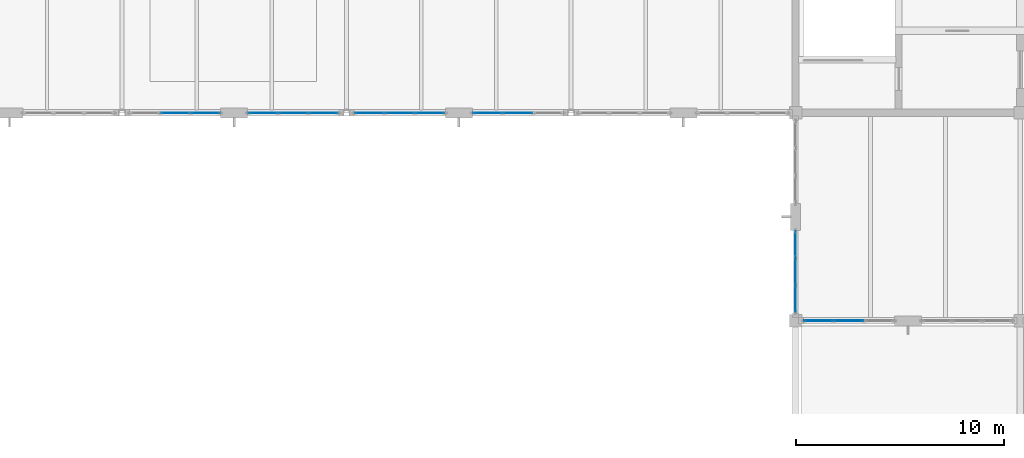
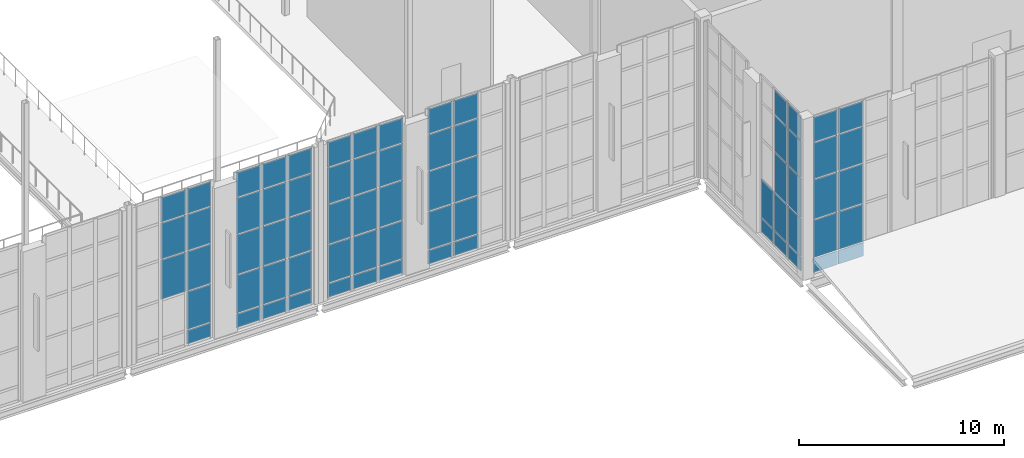
# One storey, part 66 of 100: 70 plates, 6 elements without a shape of their own.
"""IFC4 building model written with IfcOpenShell, lengths in metres."""

from ifc_helpers import new_model, si_unit, direction, frame, origin, origin_2d, place, context, subcontext, project, spatial, rectangle, extrude, material, layer, layer_set, type_object, element, aggregate, save


model = new_model("IFC4")

# Units and contexts
model_context = context("Model", 3, precision=1e-05, world=origin(), true_north=direction((0.0, 1.0)))
body_context = subcontext(model_context, "Body", "Model", "MODEL_VIEW")
ifc_project = project(units=[si_unit("LENGTHUNIT", "METRE"), si_unit("AREAUNIT", "SQUARE_METRE"), si_unit("VOLUMEUNIT", "CUBIC_METRE"), si_unit("PLANEANGLEUNIT", "RADIAN"), si_unit("MASSUNIT", "GRAM", prefix="KILO")], contexts=[model_context])

# Site, building, storey
site_placement = place(None, origin())
site = spatial("IfcSite", under=ifc_project, at=site_placement, CompositionType="ELEMENT")
building_placement = place(site_placement, origin())
building = spatial("IfcBuilding", under=site, at=building_placement, Name="Tasgan Crest Museum", CompositionType="ELEMENT")
storey_placement = place(building_placement, frame((0.0, 0.0, 14.39990234375)))
storey = spatial("IfcBuildingStorey", under=building, at=storey_placement, Name="L03", CompositionType="ELEMENT", Elevation=14.39990234375)

# Curtain wall, plates
ifc_material_1 = material(Name="Triple-Glazed Aluminium Curtain Wall", Category="aluminium")
ifc_layer_1 = layer(ifc_material_1, 0.179931640625, Name="CW-GAL-Y-96")
ifc_layer_set_1 = layer_set([ifc_layer_1], Name="Triple-Glazed Aluminium Curtain Wall")
curtain_wall_type_1 = type_object("IfcCurtainWallType", Name="CW-GAL-Y-96", PredefinedType="NOTDEFINED", material=ifc_layer_set_1)
curtain_wall_1_placement = place(storey_placement, origin())
curtain_wall_1 = element("IfcCurtainWall", 1, at=curtain_wall_1_placement, inside=storey, type_object=curtain_wall_type_1, Name="Curtain wall L03 112", PredefinedType="NOTDEFINED")
ifc_material_2 = material(Name="Insulated Spandrel Glass", Category="glass")
ifc_layer_2 = layer(ifc_material_2, 0.052001953125, Name="CW-PANEL-SPANDREL")
ifc_layer_set_2 = layer_set([ifc_layer_2], Name="Insulated Spandrel Glass")
plate_type_1 = type_object("IfcPlateType", Name="CW-PANEL-SPANDREL", PredefinedType="CURTAIN_PANEL", material=ifc_layer_set_2)
plate_1_placement = place(storey_placement, frame((108.0, 33.675048828125, 0.06005859375), z_axis=(0.0, 0.0, 1.0), x_axis=(0.0, -1.0, 0.0)))
plate_1 = element("IfcPlate", 2, at=plate_1_placement, type_object=plate_type_1, Name="CW17 panel 1.1", PredefinedType="CURTAIN_PANEL", context=body_context, shape_type="SweptSolid", body=[
    extrude(rectangle(XDim=1.239990234375, YDim=0.028076171875, at=origin_2d()), origin(), (0.0, 0.0, 1.0), 0.81005859375),
])
plate_2_placement = place(storey_placement, frame((108.0, 32.360107421875, 0.06005859375), z_axis=(0.0, 0.0, 1.0), x_axis=(0.0, -1.0, 0.0)))
plate_2 = element("IfcPlate", 3, at=plate_2_placement, type_object=plate_type_1, Name="CW17 panel 2.1", PredefinedType="CURTAIN_PANEL", context=body_context, shape_type="SweptSolid", body=[
    extrude(rectangle(XDim=1.27001953125, YDim=0.028076171875, at=origin_2d()), origin(), (0.0, 0.0, 1.0), 0.81005859375),
])
plate_3_placement = place(storey_placement, frame((108.0, 31.044921875, 0.06005859375), z_axis=(0.0, 0.0, 1.0), x_axis=(0.0, -1.0, 0.0)))
plate_3 = element("IfcPlate", 4, at=plate_3_placement, type_object=plate_type_1, Name="CW17 panel 3.1", PredefinedType="CURTAIN_PANEL", context=body_context, shape_type="SweptSolid", body=[
    extrude(rectangle(XDim=1.239990234375, YDim=0.028076171875, at=origin_2d()), origin(), (0.0, 0.0, 1.0), 0.81005859375),
])

ifc_material_3 = material(Name="Triple-Glazed Aluminium Curtain Wall", Category="aluminium")
ifc_layer_3 = layer(ifc_material_3, 0.179931640625, Name="CW-GAL-X-96")
ifc_layer_set_3 = layer_set([ifc_layer_3], Name="Triple-Glazed Aluminium Curtain Wall")
curtain_wall_type_2 = type_object("IfcCurtainWallType", Name="CW-GAL-X-96", PredefinedType="NOTDEFINED", material=ifc_layer_set_3)
curtain_wall_2_placement = place(storey_placement, origin())
curtain_wall_2 = element("IfcCurtainWall", 5, at=curtain_wall_2_placement, inside=storey, type_object=curtain_wall_type_2, Name="Curtain wall L03 113", PredefinedType="NOTDEFINED")
plate_4_placement = place(storey_placement, frame((109.111572265625, 30.0, 0.06005859375), z_axis=(0.0, 0.0, 1.0), x_axis=(1.0, 0.0, 0.0)))
plate_4 = element("IfcPlate", 6, at=plate_4_placement, type_object=plate_type_1, Name="CW14 panel 1.1", PredefinedType="CURTAIN_PANEL", context=body_context, shape_type="SweptSolid", body=[
    extrude(rectangle(XDim=1.373291015625, YDim=0.028076171875, at=origin_2d()), origin(), (0.0, 0.0, 1.0), 0.81005859375),
])
plate_5_placement = place(storey_placement, frame((110.56005859375, 30.0, 0.06005859375), z_axis=(0.0, 0.0, 1.0), x_axis=(1.0, 0.0, 0.0)))
plate_5 = element("IfcPlate", 7, at=plate_5_placement, type_object=plate_type_1, Name="CW14 panel 2.1", PredefinedType="CURTAIN_PANEL", context=body_context, shape_type="SweptSolid", body=[
    extrude(rectangle(XDim=1.4033203125, YDim=0.028076171875, at=origin_2d()), origin(), (0.0, 0.0, 1.0), 0.81005859375),
])

# Curtain wall, plate
ifc_material_4 = material(Name="Triple-Glazed Aluminium Curtain Wall", Category="aluminium")
ifc_layer_4 = layer(ifc_material_4, 0.179931640625, Name="CW-DRUM-X-96")
ifc_layer_set_4 = layer_set([ifc_layer_4], Name="Triple-Glazed Aluminium Curtain Wall")
curtain_wall_type_3 = type_object("IfcCurtainWallType", Name="CW-DRUM-X-96", PredefinedType="NOTDEFINED", material=ifc_layer_set_4)
curtain_wall_3_placement = place(storey_placement, origin())
curtain_wall_3 = element("IfcCurtainWall", 8, at=curtain_wall_3_placement, inside=storey, type_object=curtain_wall_type_3, Name="Curtain wall L03 149", PredefinedType="NOTDEFINED")
plate_6_placement = place(storey_placement, frame((79.6083984375, 40.0, 0.06005859375), z_axis=(0.0, 0.0, 1.0), x_axis=(1.0, 0.0, 0.0)))
plate_6 = element("IfcPlate", 9, at=plate_6_placement, type_object=plate_type_1, Name="CW06 panel 3.1", PredefinedType="CURTAIN_PANEL", context=body_context, shape_type="SweptSolid", body=[
    extrude(rectangle(XDim=1.373291015625, YDim=0.028076171875, at=origin_2d()), origin(), (0.0, 0.0, 1.0), 0.81005859375),
])

# Curtain wall, plates
curtain_wall_4_placement = place(storey_placement, origin())
curtain_wall_4 = element("IfcCurtainWall", 10, at=curtain_wall_4_placement, inside=storey, type_object=curtain_wall_type_3, Name="Curtain wall L03 150", PredefinedType="NOTDEFINED")
plate_7_placement = place(storey_placement, frame((82.3916015625, 40.0, 0.06005859375), z_axis=(0.0, 0.0, 1.0), x_axis=(1.0, 0.0, 0.0)))
plate_7 = element("IfcPlate", 11, at=plate_7_placement, type_object=plate_type_1, Name="CW06 panel 1.1", PredefinedType="CURTAIN_PANEL", context=body_context, shape_type="SweptSolid", body=[
    extrude(rectangle(XDim=1.373291015625, YDim=0.028076171875, at=origin_2d()), origin(), (0.0, 0.0, 1.0), 0.81005859375),
])
plate_8_placement = place(storey_placement, frame((83.840087890625, 40.0, 0.06005859375), z_axis=(0.0, 0.0, 1.0), x_axis=(1.0, 0.0, 0.0)))
plate_8 = element("IfcPlate", 12, at=plate_8_placement, type_object=plate_type_1, Name="CW06 panel 2.1", PredefinedType="CURTAIN_PANEL", context=body_context, shape_type="SweptSolid", body=[
    extrude(rectangle(XDim=1.4033203125, YDim=0.028076171875, at=origin_2d()), origin(), (0.0, 0.0, 1.0), 0.81005859375),
])
plate_9_placement = place(storey_placement, frame((85.288330078125, 40.0, 0.06005859375), z_axis=(0.0, 0.0, 1.0), x_axis=(1.0, 0.0, 0.0)))
plate_9 = element("IfcPlate", 13, at=plate_9_placement, type_object=plate_type_1, Name="CW06 panel 3.1", PredefinedType="CURTAIN_PANEL", context=body_context, shape_type="SweptSolid", body=[
    extrude(rectangle(XDim=1.373291015625, YDim=0.028076171875, at=origin_2d()), origin(), (0.0, 0.0, 1.0), 0.81005859375),
])

curtain_wall_5_placement = place(storey_placement, origin())
curtain_wall_5 = element("IfcCurtainWall", 14, at=curtain_wall_5_placement, inside=storey, type_object=curtain_wall_type_3, Name="Curtain wall L03 151", PredefinedType="NOTDEFINED")
plate_10_placement = place(storey_placement, frame((87.51171875, 40.0, 0.06005859375), z_axis=(0.0, 0.0, 1.0), x_axis=(1.0, 0.0, 0.0)))
plate_10 = element("IfcPlate", 15, at=plate_10_placement, type_object=plate_type_1, Name="CW06 panel 1.1", PredefinedType="CURTAIN_PANEL", context=body_context, shape_type="SweptSolid", body=[
    extrude(rectangle(XDim=1.373291015625, YDim=0.028076171875, at=origin_2d()), origin(), (0.0, 0.0, 1.0), 0.81005859375),
])
plate_11_placement = place(storey_placement, frame((88.9599609375, 40.0, 0.06005859375), z_axis=(0.0, 0.0, 1.0), x_axis=(1.0, 0.0, 0.0)))
plate_11 = element("IfcPlate", 16, at=plate_11_placement, type_object=plate_type_1, Name="CW06 panel 2.1", PredefinedType="CURTAIN_PANEL", context=body_context, shape_type="SweptSolid", body=[
    extrude(rectangle(XDim=1.4033203125, YDim=0.028076171875, at=origin_2d()), origin(), (0.0, 0.0, 1.0), 0.81005859375),
])
plate_12_placement = place(storey_placement, frame((90.408447265625, 40.0, 0.06005859375), z_axis=(0.0, 0.0, 1.0), x_axis=(1.0, 0.0, 0.0)))
plate_12 = element("IfcPlate", 17, at=plate_12_placement, type_object=plate_type_1, Name="CW06 panel 3.1", PredefinedType="CURTAIN_PANEL", context=body_context, shape_type="SweptSolid", body=[
    extrude(rectangle(XDim=1.373291015625, YDim=0.028076171875, at=origin_2d()), origin(), (0.0, 0.0, 1.0), 0.81005859375),
])

curtain_wall_6_placement = place(storey_placement, origin())
curtain_wall_6 = element("IfcCurtainWall", 18, at=curtain_wall_6_placement, inside=storey, type_object=curtain_wall_type_3, Name="Curtain wall L03 152", PredefinedType="NOTDEFINED")
plate_13_placement = place(storey_placement, frame((93.191650390625, 40.0, 0.06005859375), z_axis=(0.0, 0.0, 1.0), x_axis=(1.0, 0.0, 0.0)))
plate_13 = element("IfcPlate", 19, at=plate_13_placement, type_object=plate_type_1, Name="CW06 panel 1.1", PredefinedType="CURTAIN_PANEL", context=body_context, shape_type="SweptSolid", body=[
    extrude(rectangle(XDim=1.373291015625, YDim=0.028076171875, at=origin_2d()), origin(), (0.0, 0.0, 1.0), 0.81005859375),
])
plate_14_placement = place(storey_placement, frame((94.639892578125, 40.0, 0.06005859375), z_axis=(0.0, 0.0, 1.0), x_axis=(1.0, 0.0, 0.0)))
plate_14 = element("IfcPlate", 20, at=plate_14_placement, type_object=plate_type_1, Name="CW06 panel 2.1", PredefinedType="CURTAIN_PANEL", context=body_context, shape_type="SweptSolid", body=[
    extrude(rectangle(XDim=1.4033203125, YDim=0.028076171875, at=origin_2d()), origin(), (0.0, 0.0, 1.0), 0.81005859375),
])

# Plate
ifc_material_5 = material(Name="Low-E Triple Glazing", Category="glass")
ifc_layer_5 = layer(ifc_material_5, 0.0439453125, Name="CW-PANEL-TRIPLE")
ifc_layer_set_5 = layer_set([ifc_layer_5], Name="Low-E Triple Glazing")
plate_type_2 = type_object("IfcPlateType", Name="CW-PANEL-TRIPLE", PredefinedType="CURTAIN_PANEL", material=ifc_layer_set_5)
plate_15_placement = place(storey_placement, frame((108.0, 33.675048828125, 0.93017578125), z_axis=(0.0, 0.0, 1.0), x_axis=(0.0, -1.0, 0.0)))
plate_15 = element("IfcPlate", 21, at=plate_15_placement, type_object=plate_type_2, Name="CW17 panel 1.2", PredefinedType="CURTAIN_PANEL", context=body_context, shape_type="SweptSolid", body=[
    extrude(rectangle(XDim=1.239990234375, YDim=0.028076171875, at=origin_2d()), origin(), (0.0, 0.0, 1.0), 2.239990234375),
])

plate_16_placement = place(storey_placement, frame((108.0, 32.360107421875, 0.93017578125), z_axis=(0.0, 0.0, 1.0), x_axis=(0.0, -1.0, 0.0)))
plate_16 = element("IfcPlate", 22, at=plate_16_placement, type_object=plate_type_2, Name="CW17 panel 2.2", PredefinedType="CURTAIN_PANEL", context=body_context, shape_type="SweptSolid", body=[
    extrude(rectangle(XDim=1.27001953125, YDim=0.028076171875, at=origin_2d()), origin(), (0.0, 0.0, 1.0), 2.239990234375),
])

plate_17_placement = place(storey_placement, frame((108.0, 32.360107421875, 3.22998046875), z_axis=(0.0, 0.0, 1.0), x_axis=(0.0, -1.0, 0.0)))
plate_17 = element("IfcPlate", 23, at=plate_17_placement, type_object=plate_type_2, Name="CW17 panel 2.3", PredefinedType="CURTAIN_PANEL", context=body_context, shape_type="SweptSolid", body=[
    extrude(rectangle(XDim=1.27001953125, YDim=0.028076171875, at=origin_2d()), origin(), (0.0, 0.0, 1.0), 2.340087890625),
])

plate_18_placement = place(storey_placement, frame((108.0, 32.360107421875, 5.63037109375), z_axis=(0.0, 0.0, 1.0), x_axis=(0.0, -1.0, 0.0)))
plate_18 = element("IfcPlate", 24, at=plate_18_placement, type_object=plate_type_2, Name="CW17 panel 2.4", PredefinedType="CURTAIN_PANEL", context=body_context, shape_type="SweptSolid", body=[
    extrude(rectangle(XDim=1.27001953125, YDim=0.028076171875, at=origin_2d()), origin(), (0.0, 0.0, 1.0), 2.139892578125),
])

plate_19_placement = place(storey_placement, frame((108.0, 32.360107421875, 7.830078125), z_axis=(0.0, 0.0, 1.0), x_axis=(0.0, -1.0, 0.0)))
plate_19 = element("IfcPlate", 25, at=plate_19_placement, type_object=plate_type_2, Name="CW17 panel 2.5", PredefinedType="CURTAIN_PANEL", context=body_context, shape_type="SweptSolid", body=[
    extrude(rectangle(XDim=1.27001953125, YDim=0.028076171875, at=origin_2d()), origin(), (0.0, 0.0, 1.0), 1.469970703125),
])

plate_20_placement = place(storey_placement, frame((108.0, 31.044921875, 0.93017578125), z_axis=(0.0, 0.0, 1.0), x_axis=(0.0, -1.0, 0.0)))
plate_20 = element("IfcPlate", 26, at=plate_20_placement, type_object=plate_type_2, Name="CW17 panel 3.2", PredefinedType="CURTAIN_PANEL", context=body_context, shape_type="SweptSolid", body=[
    extrude(rectangle(XDim=1.239990234375, YDim=0.028076171875, at=origin_2d()), origin(), (0.0, 0.0, 1.0), 2.239990234375),
])

plate_21_placement = place(storey_placement, frame((108.0, 31.044921875, 3.22998046875), z_axis=(0.0, 0.0, 1.0), x_axis=(0.0, -1.0, 0.0)))
plate_21 = element("IfcPlate", 27, at=plate_21_placement, type_object=plate_type_2, Name="CW17 panel 3.3", PredefinedType="CURTAIN_PANEL", context=body_context, shape_type="SweptSolid", body=[
    extrude(rectangle(XDim=1.239990234375, YDim=0.028076171875, at=origin_2d()), origin(), (0.0, 0.0, 1.0), 2.340087890625),
])

plate_22_placement = place(storey_placement, frame((108.0, 31.044921875, 5.63037109375), z_axis=(0.0, 0.0, 1.0), x_axis=(0.0, -1.0, 0.0)))
plate_22 = element("IfcPlate", 28, at=plate_22_placement, type_object=plate_type_2, Name="CW17 panel 3.4", PredefinedType="CURTAIN_PANEL", context=body_context, shape_type="SweptSolid", body=[
    extrude(rectangle(XDim=1.239990234375, YDim=0.028076171875, at=origin_2d()), origin(), (0.0, 0.0, 1.0), 2.139892578125),
])

plate_23_placement = place(storey_placement, frame((108.0, 31.044921875, 7.830078125), z_axis=(0.0, 0.0, 1.0), x_axis=(0.0, -1.0, 0.0)))
plate_23 = element("IfcPlate", 29, at=plate_23_placement, type_object=plate_type_2, Name="CW17 panel 3.5", PredefinedType="CURTAIN_PANEL", context=body_context, shape_type="SweptSolid", body=[
    extrude(rectangle(XDim=1.239990234375, YDim=0.028076171875, at=origin_2d()), origin(), (0.0, 0.0, 1.0), 1.469970703125),
])

aggregate(curtain_wall_1, [plate_1, plate_15, plate_2, plate_16, plate_17, plate_18, plate_19, plate_3, plate_20, plate_21, plate_22, plate_23])

plate_24_placement = place(storey_placement, frame((109.111572265625, 30.0, 0.93017578125), z_axis=(0.0, 0.0, 1.0), x_axis=(1.0, 0.0, 0.0)))
plate_24 = element("IfcPlate", 30, at=plate_24_placement, type_object=plate_type_2, Name="CW14 panel 1.2", PredefinedType="CURTAIN_PANEL", context=body_context, shape_type="SweptSolid", body=[
    extrude(rectangle(XDim=1.373291015625, YDim=0.028076171875, at=origin_2d()), origin(), (0.0, 0.0, 1.0), 2.239990234375),
])

plate_25_placement = place(storey_placement, frame((109.111572265625, 30.0, 3.22998046875), z_axis=(0.0, 0.0, 1.0), x_axis=(1.0, 0.0, 0.0)))
plate_25 = element("IfcPlate", 31, at=plate_25_placement, type_object=plate_type_2, Name="CW14 panel 1.3", PredefinedType="CURTAIN_PANEL", context=body_context, shape_type="SweptSolid", body=[
    extrude(rectangle(XDim=1.373291015625, YDim=0.028076171875, at=origin_2d()), origin(), (0.0, 0.0, 1.0), 2.340087890625),
])

plate_26_placement = place(storey_placement, frame((109.111572265625, 30.0, 5.63037109375), z_axis=(0.0, 0.0, 1.0), x_axis=(1.0, 0.0, 0.0)))
plate_26 = element("IfcPlate", 32, at=plate_26_placement, type_object=plate_type_2, Name="CW14 panel 1.4", PredefinedType="CURTAIN_PANEL", context=body_context, shape_type="SweptSolid", body=[
    extrude(rectangle(XDim=1.373291015625, YDim=0.028076171875, at=origin_2d()), origin(), (0.0, 0.0, 1.0), 2.139892578125),
])

plate_27_placement = place(storey_placement, frame((109.111572265625, 30.0, 7.830078125), z_axis=(0.0, 0.0, 1.0), x_axis=(1.0, 0.0, 0.0)))
plate_27 = element("IfcPlate", 33, at=plate_27_placement, type_object=plate_type_2, Name="CW14 panel 1.5", PredefinedType="CURTAIN_PANEL", context=body_context, shape_type="SweptSolid", body=[
    extrude(rectangle(XDim=1.373291015625, YDim=0.028076171875, at=origin_2d()), origin(), (0.0, 0.0, 1.0), 1.469970703125),
])

plate_28_placement = place(storey_placement, frame((110.56005859375, 30.0, 0.93017578125), z_axis=(0.0, 0.0, 1.0), x_axis=(1.0, 0.0, 0.0)))
plate_28 = element("IfcPlate", 34, at=plate_28_placement, type_object=plate_type_2, Name="CW14 panel 2.2", PredefinedType="CURTAIN_PANEL", context=body_context, shape_type="SweptSolid", body=[
    extrude(rectangle(XDim=1.4033203125, YDim=0.028076171875, at=origin_2d()), origin(), (0.0, 0.0, 1.0), 2.239990234375),
])

plate_29_placement = place(storey_placement, frame((110.56005859375, 30.0, 3.22998046875), z_axis=(0.0, 0.0, 1.0), x_axis=(1.0, 0.0, 0.0)))
plate_29 = element("IfcPlate", 35, at=plate_29_placement, type_object=plate_type_2, Name="CW14 panel 2.3", PredefinedType="CURTAIN_PANEL", context=body_context, shape_type="SweptSolid", body=[
    extrude(rectangle(XDim=1.4033203125, YDim=0.028076171875, at=origin_2d()), origin(), (0.0, 0.0, 1.0), 2.340087890625),
])

plate_30_placement = place(storey_placement, frame((110.56005859375, 30.0, 5.63037109375), z_axis=(0.0, 0.0, 1.0), x_axis=(1.0, 0.0, 0.0)))
plate_30 = element("IfcPlate", 36, at=plate_30_placement, type_object=plate_type_2, Name="CW14 panel 2.4", PredefinedType="CURTAIN_PANEL", context=body_context, shape_type="SweptSolid", body=[
    extrude(rectangle(XDim=1.4033203125, YDim=0.028076171875, at=origin_2d()), origin(), (0.0, 0.0, 1.0), 2.139892578125),
])

plate_31_placement = place(storey_placement, frame((110.56005859375, 30.0, 7.830078125), z_axis=(0.0, 0.0, 1.0), x_axis=(1.0, 0.0, 0.0)))
plate_31 = element("IfcPlate", 37, at=plate_31_placement, type_object=plate_type_2, Name="CW14 panel 2.5", PredefinedType="CURTAIN_PANEL", context=body_context, shape_type="SweptSolid", body=[
    extrude(rectangle(XDim=1.4033203125, YDim=0.028076171875, at=origin_2d()), origin(), (0.0, 0.0, 1.0), 1.469970703125),
])

aggregate(curtain_wall_2, [plate_4, plate_24, plate_25, plate_26, plate_27, plate_5, plate_28, plate_29, plate_30, plate_31])

plate_32_placement = place(storey_placement, frame((78.159912109375, 40.0, 3.22998046875), z_axis=(0.0, 0.0, 1.0), x_axis=(1.0, 0.0, 0.0)))
plate_32 = element("IfcPlate", 38, at=plate_32_placement, type_object=plate_type_2, Name="CW06 panel 2.3", PredefinedType="CURTAIN_PANEL", context=body_context, shape_type="SweptSolid", body=[
    extrude(rectangle(XDim=1.4033203125, YDim=0.028076171875, at=origin_2d()), origin(), (0.0, 0.0, 1.0), 2.340087890625),
])

plate_33_placement = place(storey_placement, frame((78.159912109375, 40.0, 5.63037109375), z_axis=(0.0, 0.0, 1.0), x_axis=(1.0, 0.0, 0.0)))
plate_33 = element("IfcPlate", 39, at=plate_33_placement, type_object=plate_type_2, Name="CW06 panel 2.4", PredefinedType="CURTAIN_PANEL", context=body_context, shape_type="SweptSolid", body=[
    extrude(rectangle(XDim=1.4033203125, YDim=0.028076171875, at=origin_2d()), origin(), (0.0, 0.0, 1.0), 2.139892578125),
])

plate_34_placement = place(storey_placement, frame((78.159912109375, 40.0, 7.830078125), z_axis=(0.0, 0.0, 1.0), x_axis=(1.0, 0.0, 0.0)))
plate_34 = element("IfcPlate", 40, at=plate_34_placement, type_object=plate_type_2, Name="CW06 panel 2.5", PredefinedType="CURTAIN_PANEL", context=body_context, shape_type="SweptSolid", body=[
    extrude(rectangle(XDim=1.4033203125, YDim=0.028076171875, at=origin_2d()), origin(), (0.0, 0.0, 1.0), 1.469970703125),
])

plate_35_placement = place(storey_placement, frame((79.6083984375, 40.0, 0.93017578125), z_axis=(0.0, 0.0, 1.0), x_axis=(1.0, 0.0, 0.0)))
plate_35 = element("IfcPlate", 41, at=plate_35_placement, type_object=plate_type_2, Name="CW06 panel 3.2", PredefinedType="CURTAIN_PANEL", context=body_context, shape_type="SweptSolid", body=[
    extrude(rectangle(XDim=1.373291015625, YDim=0.028076171875, at=origin_2d()), origin(), (0.0, 0.0, 1.0), 2.239990234375),
])

plate_36_placement = place(storey_placement, frame((79.6083984375, 40.0, 3.22998046875), z_axis=(0.0, 0.0, 1.0), x_axis=(1.0, 0.0, 0.0)))
plate_36 = element("IfcPlate", 42, at=plate_36_placement, type_object=plate_type_2, Name="CW06 panel 3.3", PredefinedType="CURTAIN_PANEL", context=body_context, shape_type="SweptSolid", body=[
    extrude(rectangle(XDim=1.373291015625, YDim=0.028076171875, at=origin_2d()), origin(), (0.0, 0.0, 1.0), 2.340087890625),
])

plate_37_placement = place(storey_placement, frame((79.6083984375, 40.0, 5.63037109375), z_axis=(0.0, 0.0, 1.0), x_axis=(1.0, 0.0, 0.0)))
plate_37 = element("IfcPlate", 43, at=plate_37_placement, type_object=plate_type_2, Name="CW06 panel 3.4", PredefinedType="CURTAIN_PANEL", context=body_context, shape_type="SweptSolid", body=[
    extrude(rectangle(XDim=1.373291015625, YDim=0.028076171875, at=origin_2d()), origin(), (0.0, 0.0, 1.0), 2.139892578125),
])

plate_38_placement = place(storey_placement, frame((79.6083984375, 40.0, 7.830078125), z_axis=(0.0, 0.0, 1.0), x_axis=(1.0, 0.0, 0.0)))
plate_38 = element("IfcPlate", 44, at=plate_38_placement, type_object=plate_type_2, Name="CW06 panel 3.5", PredefinedType="CURTAIN_PANEL", context=body_context, shape_type="SweptSolid", body=[
    extrude(rectangle(XDim=1.373291015625, YDim=0.028076171875, at=origin_2d()), origin(), (0.0, 0.0, 1.0), 1.469970703125),
])

aggregate(curtain_wall_3, [plate_32, plate_33, plate_34, plate_6, plate_35, plate_36, plate_37, plate_38])

plate_39_placement = place(storey_placement, frame((82.3916015625, 40.0, 0.93017578125), z_axis=(0.0, 0.0, 1.0), x_axis=(1.0, 0.0, 0.0)))
plate_39 = element("IfcPlate", 45, at=plate_39_placement, type_object=plate_type_2, Name="CW06 panel 1.2", PredefinedType="CURTAIN_PANEL", context=body_context, shape_type="SweptSolid", body=[
    extrude(rectangle(XDim=1.373291015625, YDim=0.028076171875, at=origin_2d()), origin(), (0.0, 0.0, 1.0), 2.239990234375),
])

plate_40_placement = place(storey_placement, frame((82.3916015625, 40.0, 3.22998046875), z_axis=(0.0, 0.0, 1.0), x_axis=(1.0, 0.0, 0.0)))
plate_40 = element("IfcPlate", 46, at=plate_40_placement, type_object=plate_type_2, Name="CW06 panel 1.3", PredefinedType="CURTAIN_PANEL", context=body_context, shape_type="SweptSolid", body=[
    extrude(rectangle(XDim=1.373291015625, YDim=0.028076171875, at=origin_2d()), origin(), (0.0, 0.0, 1.0), 2.340087890625),
])

plate_41_placement = place(storey_placement, frame((82.3916015625, 40.0, 5.63037109375), z_axis=(0.0, 0.0, 1.0), x_axis=(1.0, 0.0, 0.0)))
plate_41 = element("IfcPlate", 47, at=plate_41_placement, type_object=plate_type_2, Name="CW06 panel 1.4", PredefinedType="CURTAIN_PANEL", context=body_context, shape_type="SweptSolid", body=[
    extrude(rectangle(XDim=1.373291015625, YDim=0.028076171875, at=origin_2d()), origin(), (0.0, 0.0, 1.0), 2.139892578125),
])

plate_42_placement = place(storey_placement, frame((82.3916015625, 40.0, 7.830078125), z_axis=(0.0, 0.0, 1.0), x_axis=(1.0, 0.0, 0.0)))
plate_42 = element("IfcPlate", 48, at=plate_42_placement, type_object=plate_type_2, Name="CW06 panel 1.5", PredefinedType="CURTAIN_PANEL", context=body_context, shape_type="SweptSolid", body=[
    extrude(rectangle(XDim=1.373291015625, YDim=0.028076171875, at=origin_2d()), origin(), (0.0, 0.0, 1.0), 1.469970703125),
])

plate_43_placement = place(storey_placement, frame((83.840087890625, 40.0, 0.93017578125), z_axis=(0.0, 0.0, 1.0), x_axis=(1.0, 0.0, 0.0)))
plate_43 = element("IfcPlate", 49, at=plate_43_placement, type_object=plate_type_2, Name="CW06 panel 2.2", PredefinedType="CURTAIN_PANEL", context=body_context, shape_type="SweptSolid", body=[
    extrude(rectangle(XDim=1.4033203125, YDim=0.028076171875, at=origin_2d()), origin(), (0.0, 0.0, 1.0), 2.239990234375),
])

plate_44_placement = place(storey_placement, frame((83.840087890625, 40.0, 3.22998046875), z_axis=(0.0, 0.0, 1.0), x_axis=(1.0, 0.0, 0.0)))
plate_44 = element("IfcPlate", 50, at=plate_44_placement, type_object=plate_type_2, Name="CW06 panel 2.3", PredefinedType="CURTAIN_PANEL", context=body_context, shape_type="SweptSolid", body=[
    extrude(rectangle(XDim=1.4033203125, YDim=0.028076171875, at=origin_2d()), origin(), (0.0, 0.0, 1.0), 2.340087890625),
])

plate_45_placement = place(storey_placement, frame((83.840087890625, 40.0, 5.63037109375), z_axis=(0.0, 0.0, 1.0), x_axis=(1.0, 0.0, 0.0)))
plate_45 = element("IfcPlate", 51, at=plate_45_placement, type_object=plate_type_2, Name="CW06 panel 2.4", PredefinedType="CURTAIN_PANEL", context=body_context, shape_type="SweptSolid", body=[
    extrude(rectangle(XDim=1.4033203125, YDim=0.028076171875, at=origin_2d()), origin(), (0.0, 0.0, 1.0), 2.139892578125),
])

plate_46_placement = place(storey_placement, frame((83.840087890625, 40.0, 7.830078125), z_axis=(0.0, 0.0, 1.0), x_axis=(1.0, 0.0, 0.0)))
plate_46 = element("IfcPlate", 52, at=plate_46_placement, type_object=plate_type_2, Name="CW06 panel 2.5", PredefinedType="CURTAIN_PANEL", context=body_context, shape_type="SweptSolid", body=[
    extrude(rectangle(XDim=1.4033203125, YDim=0.028076171875, at=origin_2d()), origin(), (0.0, 0.0, 1.0), 1.469970703125),
])

plate_47_placement = place(storey_placement, frame((85.288330078125, 40.0, 0.93017578125), z_axis=(0.0, 0.0, 1.0), x_axis=(1.0, 0.0, 0.0)))
plate_47 = element("IfcPlate", 53, at=plate_47_placement, type_object=plate_type_2, Name="CW06 panel 3.2", PredefinedType="CURTAIN_PANEL", context=body_context, shape_type="SweptSolid", body=[
    extrude(rectangle(XDim=1.373291015625, YDim=0.028076171875, at=origin_2d()), origin(), (0.0, 0.0, 1.0), 2.239990234375),
])

plate_48_placement = place(storey_placement, frame((85.288330078125, 40.0, 3.22998046875), z_axis=(0.0, 0.0, 1.0), x_axis=(1.0, 0.0, 0.0)))
plate_48 = element("IfcPlate", 54, at=plate_48_placement, type_object=plate_type_2, Name="CW06 panel 3.3", PredefinedType="CURTAIN_PANEL", context=body_context, shape_type="SweptSolid", body=[
    extrude(rectangle(XDim=1.373291015625, YDim=0.028076171875, at=origin_2d()), origin(), (0.0, 0.0, 1.0), 2.340087890625),
])

plate_49_placement = place(storey_placement, frame((85.288330078125, 40.0, 5.63037109375), z_axis=(0.0, 0.0, 1.0), x_axis=(1.0, 0.0, 0.0)))
plate_49 = element("IfcPlate", 55, at=plate_49_placement, type_object=plate_type_2, Name="CW06 panel 3.4", PredefinedType="CURTAIN_PANEL", context=body_context, shape_type="SweptSolid", body=[
    extrude(rectangle(XDim=1.373291015625, YDim=0.028076171875, at=origin_2d()), origin(), (0.0, 0.0, 1.0), 2.139892578125),
])

plate_50_placement = place(storey_placement, frame((85.288330078125, 40.0, 7.830078125), z_axis=(0.0, 0.0, 1.0), x_axis=(1.0, 0.0, 0.0)))
plate_50 = element("IfcPlate", 56, at=plate_50_placement, type_object=plate_type_2, Name="CW06 panel 3.5", PredefinedType="CURTAIN_PANEL", context=body_context, shape_type="SweptSolid", body=[
    extrude(rectangle(XDim=1.373291015625, YDim=0.028076171875, at=origin_2d()), origin(), (0.0, 0.0, 1.0), 1.469970703125),
])

aggregate(curtain_wall_4, [plate_7, plate_39, plate_40, plate_41, plate_42, plate_8, plate_43, plate_44, plate_45, plate_46, plate_9, plate_47, plate_48, plate_49, plate_50])

plate_51_placement = place(storey_placement, frame((87.51171875, 40.0, 0.93017578125), z_axis=(0.0, 0.0, 1.0), x_axis=(1.0, 0.0, 0.0)))
plate_51 = element("IfcPlate", 57, at=plate_51_placement, type_object=plate_type_2, Name="CW06 panel 1.2", PredefinedType="CURTAIN_PANEL", context=body_context, shape_type="SweptSolid", body=[
    extrude(rectangle(XDim=1.373291015625, YDim=0.028076171875, at=origin_2d()), origin(), (0.0, 0.0, 1.0), 2.239990234375),
])

plate_52_placement = place(storey_placement, frame((87.51171875, 40.0, 3.22998046875), z_axis=(0.0, 0.0, 1.0), x_axis=(1.0, 0.0, 0.0)))
plate_52 = element("IfcPlate", 58, at=plate_52_placement, type_object=plate_type_2, Name="CW06 panel 1.3", PredefinedType="CURTAIN_PANEL", context=body_context, shape_type="SweptSolid", body=[
    extrude(rectangle(XDim=1.373291015625, YDim=0.028076171875, at=origin_2d()), origin(), (0.0, 0.0, 1.0), 2.340087890625),
])

plate_53_placement = place(storey_placement, frame((87.51171875, 40.0, 5.63037109375), z_axis=(0.0, 0.0, 1.0), x_axis=(1.0, 0.0, 0.0)))
plate_53 = element("IfcPlate", 59, at=plate_53_placement, type_object=plate_type_2, Name="CW06 panel 1.4", PredefinedType="CURTAIN_PANEL", context=body_context, shape_type="SweptSolid", body=[
    extrude(rectangle(XDim=1.373291015625, YDim=0.028076171875, at=origin_2d()), origin(), (0.0, 0.0, 1.0), 2.139892578125),
])

plate_54_placement = place(storey_placement, frame((87.51171875, 40.0, 7.830078125), z_axis=(0.0, 0.0, 1.0), x_axis=(1.0, 0.0, 0.0)))
plate_54 = element("IfcPlate", 60, at=plate_54_placement, type_object=plate_type_2, Name="CW06 panel 1.5", PredefinedType="CURTAIN_PANEL", context=body_context, shape_type="SweptSolid", body=[
    extrude(rectangle(XDim=1.373291015625, YDim=0.028076171875, at=origin_2d()), origin(), (0.0, 0.0, 1.0), 1.469970703125),
])

plate_55_placement = place(storey_placement, frame((88.9599609375, 40.0, 0.93017578125), z_axis=(0.0, 0.0, 1.0), x_axis=(1.0, 0.0, 0.0)))
plate_55 = element("IfcPlate", 61, at=plate_55_placement, type_object=plate_type_2, Name="CW06 panel 2.2", PredefinedType="CURTAIN_PANEL", context=body_context, shape_type="SweptSolid", body=[
    extrude(rectangle(XDim=1.4033203125, YDim=0.028076171875, at=origin_2d()), origin(), (0.0, 0.0, 1.0), 2.239990234375),
])

plate_56_placement = place(storey_placement, frame((88.9599609375, 40.0, 3.22998046875), z_axis=(0.0, 0.0, 1.0), x_axis=(1.0, 0.0, 0.0)))
plate_56 = element("IfcPlate", 62, at=plate_56_placement, type_object=plate_type_2, Name="CW06 panel 2.3", PredefinedType="CURTAIN_PANEL", context=body_context, shape_type="SweptSolid", body=[
    extrude(rectangle(XDim=1.4033203125, YDim=0.028076171875, at=origin_2d()), origin(), (0.0, 0.0, 1.0), 2.340087890625),
])

plate_57_placement = place(storey_placement, frame((88.9599609375, 40.0, 5.63037109375), z_axis=(0.0, 0.0, 1.0), x_axis=(1.0, 0.0, 0.0)))
plate_57 = element("IfcPlate", 63, at=plate_57_placement, type_object=plate_type_2, Name="CW06 panel 2.4", PredefinedType="CURTAIN_PANEL", context=body_context, shape_type="SweptSolid", body=[
    extrude(rectangle(XDim=1.4033203125, YDim=0.028076171875, at=origin_2d()), origin(), (0.0, 0.0, 1.0), 2.139892578125),
])

plate_58_placement = place(storey_placement, frame((88.9599609375, 40.0, 7.830078125), z_axis=(0.0, 0.0, 1.0), x_axis=(1.0, 0.0, 0.0)))
plate_58 = element("IfcPlate", 64, at=plate_58_placement, type_object=plate_type_2, Name="CW06 panel 2.5", PredefinedType="CURTAIN_PANEL", context=body_context, shape_type="SweptSolid", body=[
    extrude(rectangle(XDim=1.4033203125, YDim=0.028076171875, at=origin_2d()), origin(), (0.0, 0.0, 1.0), 1.469970703125),
])

plate_59_placement = place(storey_placement, frame((90.408447265625, 40.0, 0.93017578125), z_axis=(0.0, 0.0, 1.0), x_axis=(1.0, 0.0, 0.0)))
plate_59 = element("IfcPlate", 65, at=plate_59_placement, type_object=plate_type_2, Name="CW06 panel 3.2", PredefinedType="CURTAIN_PANEL", context=body_context, shape_type="SweptSolid", body=[
    extrude(rectangle(XDim=1.373291015625, YDim=0.028076171875, at=origin_2d()), origin(), (0.0, 0.0, 1.0), 2.239990234375),
])

plate_60_placement = place(storey_placement, frame((90.408447265625, 40.0, 3.22998046875), z_axis=(0.0, 0.0, 1.0), x_axis=(1.0, 0.0, 0.0)))
plate_60 = element("IfcPlate", 66, at=plate_60_placement, type_object=plate_type_2, Name="CW06 panel 3.3", PredefinedType="CURTAIN_PANEL", context=body_context, shape_type="SweptSolid", body=[
    extrude(rectangle(XDim=1.373291015625, YDim=0.028076171875, at=origin_2d()), origin(), (0.0, 0.0, 1.0), 2.340087890625),
])

plate_61_placement = place(storey_placement, frame((90.408447265625, 40.0, 5.63037109375), z_axis=(0.0, 0.0, 1.0), x_axis=(1.0, 0.0, 0.0)))
plate_61 = element("IfcPlate", 67, at=plate_61_placement, type_object=plate_type_2, Name="CW06 panel 3.4", PredefinedType="CURTAIN_PANEL", context=body_context, shape_type="SweptSolid", body=[
    extrude(rectangle(XDim=1.373291015625, YDim=0.028076171875, at=origin_2d()), origin(), (0.0, 0.0, 1.0), 2.139892578125),
])

plate_62_placement = place(storey_placement, frame((90.408447265625, 40.0, 7.830078125), z_axis=(0.0, 0.0, 1.0), x_axis=(1.0, 0.0, 0.0)))
plate_62 = element("IfcPlate", 68, at=plate_62_placement, type_object=plate_type_2, Name="CW06 panel 3.5", PredefinedType="CURTAIN_PANEL", context=body_context, shape_type="SweptSolid", body=[
    extrude(rectangle(XDim=1.373291015625, YDim=0.028076171875, at=origin_2d()), origin(), (0.0, 0.0, 1.0), 1.469970703125),
])

aggregate(curtain_wall_5, [plate_10, plate_51, plate_52, plate_53, plate_54, plate_11, plate_55, plate_56, plate_57, plate_58, plate_12, plate_59, plate_60, plate_61, plate_62])

plate_63_placement = place(storey_placement, frame((93.191650390625, 40.0, 0.93017578125), z_axis=(0.0, 0.0, 1.0), x_axis=(1.0, 0.0, 0.0)))
plate_63 = element("IfcPlate", 69, at=plate_63_placement, type_object=plate_type_2, Name="CW06 panel 1.2", PredefinedType="CURTAIN_PANEL", context=body_context, shape_type="SweptSolid", body=[
    extrude(rectangle(XDim=1.373291015625, YDim=0.028076171875, at=origin_2d()), origin(), (0.0, 0.0, 1.0), 2.239990234375),
])

plate_64_placement = place(storey_placement, frame((93.191650390625, 40.0, 3.22998046875), z_axis=(0.0, 0.0, 1.0), x_axis=(1.0, 0.0, 0.0)))
plate_64 = element("IfcPlate", 70, at=plate_64_placement, type_object=plate_type_2, Name="CW06 panel 1.3", PredefinedType="CURTAIN_PANEL", context=body_context, shape_type="SweptSolid", body=[
    extrude(rectangle(XDim=1.373291015625, YDim=0.028076171875, at=origin_2d()), origin(), (0.0, 0.0, 1.0), 2.340087890625),
])

plate_65_placement = place(storey_placement, frame((93.191650390625, 40.0, 5.63037109375), z_axis=(0.0, 0.0, 1.0), x_axis=(1.0, 0.0, 0.0)))
plate_65 = element("IfcPlate", 71, at=plate_65_placement, type_object=plate_type_2, Name="CW06 panel 1.4", PredefinedType="CURTAIN_PANEL", context=body_context, shape_type="SweptSolid", body=[
    extrude(rectangle(XDim=1.373291015625, YDim=0.028076171875, at=origin_2d()), origin(), (0.0, 0.0, 1.0), 2.139892578125),
])

plate_66_placement = place(storey_placement, frame((93.191650390625, 40.0, 7.830078125), z_axis=(0.0, 0.0, 1.0), x_axis=(1.0, 0.0, 0.0)))
plate_66 = element("IfcPlate", 72, at=plate_66_placement, type_object=plate_type_2, Name="CW06 panel 1.5", PredefinedType="CURTAIN_PANEL", context=body_context, shape_type="SweptSolid", body=[
    extrude(rectangle(XDim=1.373291015625, YDim=0.028076171875, at=origin_2d()), origin(), (0.0, 0.0, 1.0), 1.469970703125),
])

plate_67_placement = place(storey_placement, frame((94.639892578125, 40.0, 0.93017578125), z_axis=(0.0, 0.0, 1.0), x_axis=(1.0, 0.0, 0.0)))
plate_67 = element("IfcPlate", 73, at=plate_67_placement, type_object=plate_type_2, Name="CW06 panel 2.2", PredefinedType="CURTAIN_PANEL", context=body_context, shape_type="SweptSolid", body=[
    extrude(rectangle(XDim=1.4033203125, YDim=0.028076171875, at=origin_2d()), origin(), (0.0, 0.0, 1.0), 2.239990234375),
])

plate_68_placement = place(storey_placement, frame((94.639892578125, 40.0, 3.22998046875), z_axis=(0.0, 0.0, 1.0), x_axis=(1.0, 0.0, 0.0)))
plate_68 = element("IfcPlate", 74, at=plate_68_placement, type_object=plate_type_2, Name="CW06 panel 2.3", PredefinedType="CURTAIN_PANEL", context=body_context, shape_type="SweptSolid", body=[
    extrude(rectangle(XDim=1.4033203125, YDim=0.028076171875, at=origin_2d()), origin(), (0.0, 0.0, 1.0), 2.340087890625),
])

plate_69_placement = place(storey_placement, frame((94.639892578125, 40.0, 5.63037109375), z_axis=(0.0, 0.0, 1.0), x_axis=(1.0, 0.0, 0.0)))
plate_69 = element("IfcPlate", 75, at=plate_69_placement, type_object=plate_type_2, Name="CW06 panel 2.4", PredefinedType="CURTAIN_PANEL", context=body_context, shape_type="SweptSolid", body=[
    extrude(rectangle(XDim=1.4033203125, YDim=0.028076171875, at=origin_2d()), origin(), (0.0, 0.0, 1.0), 2.139892578125),
])

plate_70_placement = place(storey_placement, frame((94.639892578125, 40.0, 7.830078125), z_axis=(0.0, 0.0, 1.0), x_axis=(1.0, 0.0, 0.0)))
plate_70 = element("IfcPlate", 76, at=plate_70_placement, type_object=plate_type_2, Name="CW06 panel 2.5", PredefinedType="CURTAIN_PANEL", context=body_context, shape_type="SweptSolid", body=[
    extrude(rectangle(XDim=1.4033203125, YDim=0.028076171875, at=origin_2d()), origin(), (0.0, 0.0, 1.0), 1.469970703125),
])

aggregate(curtain_wall_6, [plate_13, plate_63, plate_64, plate_65, plate_66, plate_14, plate_67, plate_68, plate_69, plate_70])

save(model, "model.ifc")
